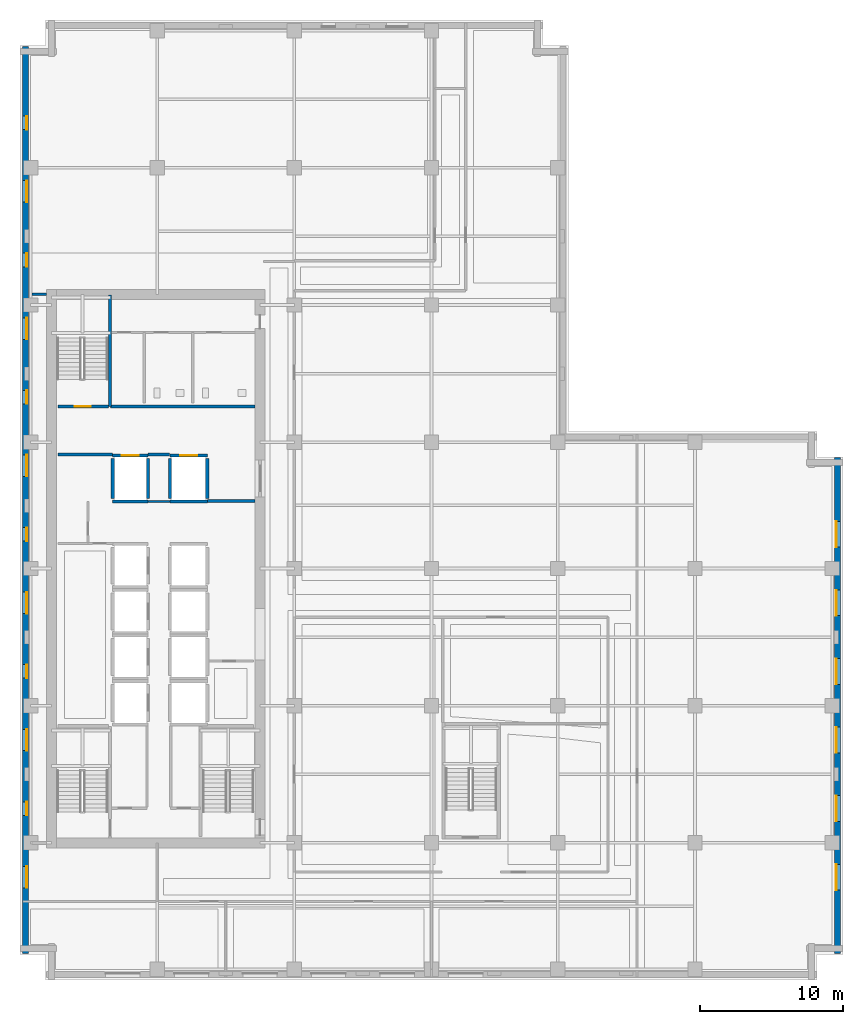
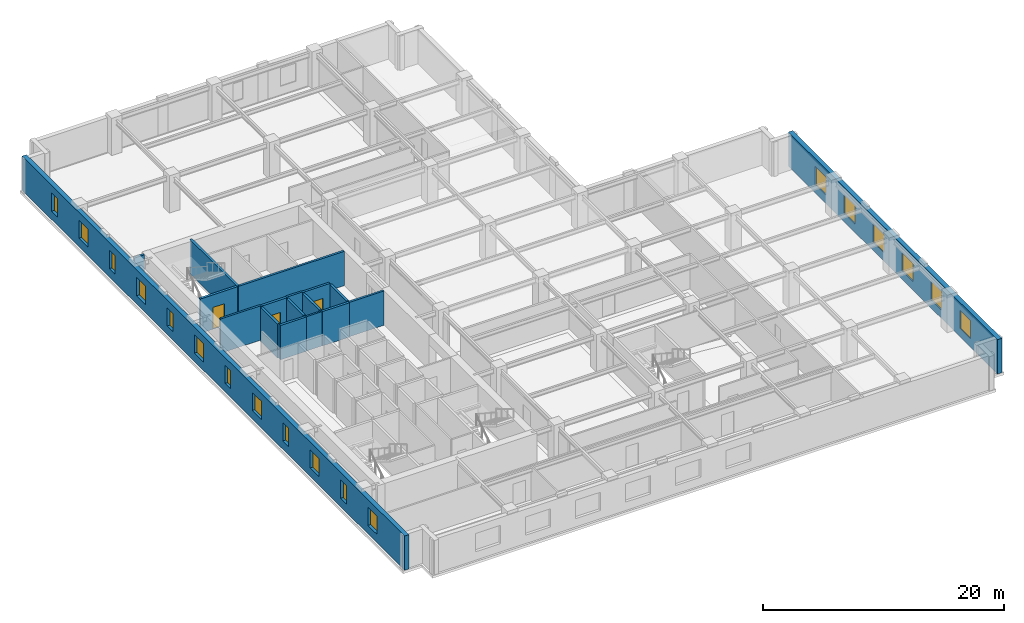
# One storey, part 5 of 12: 18 walls, 18 windows, 3 doors, 21 openings.
"""IFC4 building model written with IfcOpenShell, lengths in metres."""

from ifc_helpers import new_model, si_unit, direction, frame, frame_2d, origin, place, context, subcontext, project, spatial, rectangle, extrude, material, layer, layer_set, type_object, element, fill, save


model = new_model("IFC4")

# Units and contexts
model_context = context("Model", 3, precision=1e-05, world=origin(), true_north=direction((0.0, 1.0)))
body_context = subcontext(model_context, "Body", "Model", "MODEL_VIEW")
ifc_project = project(units=[si_unit("LENGTHUNIT", "METRE"), si_unit("AREAUNIT", "SQUARE_METRE"), si_unit("VOLUMEUNIT", "CUBIC_METRE"), si_unit("PLANEANGLEUNIT", "RADIAN"), si_unit("MASSUNIT", "GRAM", prefix="KILO")], contexts=[model_context])

# Site, building, storey
site_placement = place(None, origin())
site = spatial("IfcSite", under=ifc_project, at=site_placement, CompositionType="ELEMENT")
building_placement = place(site_placement, origin())
building = spatial("IfcBuilding", under=site, at=building_placement, Name="Norrvale University Quadrangle", CompositionType="ELEMENT")
storey_placement = place(building_placement, frame((0.0, 0.0, 147.0)))
storey = spatial("IfcBuildingStorey", under=building, at=storey_placement, Name="L37", CompositionType="ELEMENT", Elevation=147.0)

# Wall, openings, windows
ifc_material_1 = material(Name="Buff Norman Clay Brick Masonry", Category="masonry")
ifc_layer_1 = layer(ifc_material_1, 0.419921875, Name="Buff Norman Clay Brick Masonry")
ifc_layer_set_1 = layer_set([ifc_layer_1], Name="Buff Norman Clay Brick Masonry")
wall_type_1 = type_object("IfcWallType", Name="Wall Buff Brick 420", PredefinedType="SOLIDWALL", material=ifc_layer_set_1)
wall_1_placement = place(storey_placement, frame((57.2099609375, 1.840087890625, 0.0), z_axis=(0.0, 0.0, 1.0), x_axis=(0.0, 1.0, 0.0)))
wall_1 = element("IfcWall", 1, at=wall_1_placement, inside=storey, type_object=wall_type_1, Name="Exterior Brick Facade Wall L37-04.1", PredefinedType="SOLIDWALL", context=body_context, shape_type="SweptSolid", body=[
    extrude(rectangle(XDim=34.719970703125, YDim=0.419921875, at=frame_2d((17.35986328125, 0.0))), origin(), (0.0, 0.0, 1.0), 3.47998046875),
])
opening_1_placement = place(wall_1_placement, frame((4.4599609375, 0.0, 0.85009765625)))
opening_1 = element("IfcOpeningElement", 2, at=opening_1_placement, cuts=wall_1, Name="Opening W01", PredefinedType="OPENING", context=body_context, shape_type="SweptSolid", body=[
    extrude(rectangle(XDim=1.800048828125, YDim=1.85009765625, at=frame_2d((0.89990234375, 0.925048828125))), frame((0.0, 0.221923828125, 0.0), z_axis=(0.0, -1.0, 0.0), x_axis=(1.0, 0.0, 0.0)), (0.0, 0.0, 1.0), 0.44384765625),
])
opening_2_placement = place(wall_1_placement, frame((9.260009765625, 0.0, 0.85009765625)))
opening_2 = element("IfcOpeningElement", 3, at=opening_2_placement, cuts=wall_1, Name="Opening W01", PredefinedType="OPENING", context=body_context, shape_type="SweptSolid", body=[
    extrude(rectangle(XDim=1.800048828125, YDim=1.85009765625, at=frame_2d((0.89990234375, 0.925048828125))), frame((0.0, 0.221923828125, 0.0), z_axis=(0.0, -1.0, 0.0), x_axis=(1.0, 0.0, 0.0)), (0.0, 0.0, 1.0), 0.44384765625),
])
opening_3_placement = place(wall_1_placement, frame((14.06005859375, 0.0, 0.85009765625)))
opening_3 = element("IfcOpeningElement", 4, at=opening_3_placement, cuts=wall_1, Name="Opening W01", PredefinedType="OPENING", context=body_context, shape_type="SweptSolid", body=[
    extrude(rectangle(XDim=1.800048828125, YDim=1.85009765625, at=frame_2d((0.89990234375, 0.925048828125))), frame((0.0, 0.221923828125, 0.0), z_axis=(0.0, -1.0, 0.0), x_axis=(1.0, 0.0, 0.0)), (0.0, 0.0, 1.0), 0.44384765625),
])
opening_4_placement = place(wall_1_placement, frame((18.860107421875, 0.0, 0.85009765625)))
opening_4 = element("IfcOpeningElement", 5, at=opening_4_placement, cuts=wall_1, Name="Opening W01", PredefinedType="OPENING", context=body_context, shape_type="SweptSolid", body=[
    extrude(rectangle(XDim=1.800048828125, YDim=1.85009765625, at=frame_2d((0.89990234375, 0.925048828125))), frame((0.0, 0.221923828125, 0.0), z_axis=(0.0, -1.0, 0.0), x_axis=(1.0, 0.0, 0.0)), (0.0, 0.0, 1.0), 0.44384765625),
])
opening_5_placement = place(wall_1_placement, frame((23.659912109375, 0.0, 0.85009765625)))
opening_5 = element("IfcOpeningElement", 6, at=opening_5_placement, cuts=wall_1, Name="Opening W01", PredefinedType="OPENING", context=body_context, shape_type="SweptSolid", body=[
    extrude(rectangle(XDim=1.800048828125, YDim=1.85009765625, at=frame_2d((0.89990234375, 0.925048828125))), frame((0.0, 0.221923828125, 0.0), z_axis=(0.0, -1.0, 0.0), x_axis=(1.0, 0.0, 0.0)), (0.0, 0.0, 1.0), 0.44384765625),
])
opening_6_placement = place(wall_1_placement, frame((28.4599609375, 0.0, 0.85009765625)))
opening_6 = element("IfcOpeningElement", 7, at=opening_6_placement, cuts=wall_1, Name="Opening W01", PredefinedType="OPENING", context=body_context, shape_type="SweptSolid", body=[
    extrude(rectangle(XDim=1.800048828125, YDim=1.85009765625, at=frame_2d((0.89990234375, 0.925048828125))), frame((0.0, 0.221923828125, 0.0), z_axis=(0.0, -1.0, 0.0), x_axis=(1.0, 0.0, 0.0)), (0.0, 0.0, 1.0), 0.44384765625),
])
ifc_material_2 = material(Name="Triple Low-E Argon Glazing", Category="glass")
window_type_1 = type_object("IfcWindowType", Name="Window Academic 1800x2300", PartitioningType="DOUBLE_PANEL_VERTICAL", PredefinedType="WINDOW", material=ifc_material_2)
window_1_placement = place(opening_1_placement, origin())
window_1 = element("IfcWindow", 8, at=window_1_placement, inside=storey, type_object=window_type_1, Name="Window Academic 1800x2300 WIN-L37-E04-1-01", OverallHeight=1.85009765625, OverallWidth=1.800048828125, PartitioningType="DOUBLE_PANEL_VERTICAL", PredefinedType="WINDOW", context=body_context, shape_type="SweptSolid", body=[
    extrude(rectangle(XDim=1.800048828125, YDim=1.85009765625, at=frame_2d((0.89990234375, 0.925048828125))), frame((0.0, 0.110107421875, 0.0), z_axis=(0.0, -1.0, 0.0), x_axis=(1.0, 0.0, 0.0)), (0.0, 0.0, 1.0), 0.06005859375),
])
fill(opening_1, window_1)
window_2_placement = place(opening_2_placement, origin())
window_2 = element("IfcWindow", 9, at=window_2_placement, inside=storey, type_object=window_type_1, Name="Window Academic 1800x2300 WIN-L37-E04-1-02", OverallHeight=1.85009765625, OverallWidth=1.800048828125, PartitioningType="DOUBLE_PANEL_VERTICAL", PredefinedType="WINDOW", context=body_context, shape_type="SweptSolid", body=[
    extrude(rectangle(XDim=1.800048828125, YDim=1.85009765625, at=frame_2d((0.89990234375, 0.925048828125))), frame((0.0, 0.110107421875, 0.0), z_axis=(0.0, -1.0, 0.0), x_axis=(1.0, 0.0, 0.0)), (0.0, 0.0, 1.0), 0.06005859375),
])
fill(opening_2, window_2)
window_3_placement = place(opening_3_placement, origin())
window_3 = element("IfcWindow", 10, at=window_3_placement, inside=storey, type_object=window_type_1, Name="Window Academic 1800x2300 WIN-L37-E04-1-03", OverallHeight=1.85009765625, OverallWidth=1.800048828125, PartitioningType="DOUBLE_PANEL_VERTICAL", PredefinedType="WINDOW", context=body_context, shape_type="SweptSolid", body=[
    extrude(rectangle(XDim=1.800048828125, YDim=1.85009765625, at=frame_2d((0.89990234375, 0.925048828125))), frame((0.0, 0.110107421875, 0.0), z_axis=(0.0, -1.0, 0.0), x_axis=(1.0, 0.0, 0.0)), (0.0, 0.0, 1.0), 0.06005859375),
])
fill(opening_3, window_3)
window_4_placement = place(opening_4_placement, origin())
window_4 = element("IfcWindow", 11, at=window_4_placement, inside=storey, type_object=window_type_1, Name="Window Academic 1800x2300 WIN-L37-E04-1-04", OverallHeight=1.85009765625, OverallWidth=1.800048828125, PartitioningType="DOUBLE_PANEL_VERTICAL", PredefinedType="WINDOW", context=body_context, shape_type="SweptSolid", body=[
    extrude(rectangle(XDim=1.800048828125, YDim=1.85009765625, at=frame_2d((0.89990234375, 0.925048828125))), frame((0.0, 0.110107421875, 0.0), z_axis=(0.0, -1.0, 0.0), x_axis=(1.0, 0.0, 0.0)), (0.0, 0.0, 1.0), 0.06005859375),
])
fill(opening_4, window_4)
window_5_placement = place(opening_5_placement, origin())
window_5 = element("IfcWindow", 12, at=window_5_placement, inside=storey, type_object=window_type_1, Name="Window Academic 1800x2300 WIN-L37-E04-1-05", OverallHeight=1.85009765625, OverallWidth=1.800048828125, PartitioningType="DOUBLE_PANEL_VERTICAL", PredefinedType="WINDOW", context=body_context, shape_type="SweptSolid", body=[
    extrude(rectangle(XDim=1.800048828125, YDim=1.85009765625, at=frame_2d((0.89990234375, 0.925048828125))), frame((0.0, 0.110107421875, 0.0), z_axis=(0.0, -1.0, 0.0), x_axis=(1.0, 0.0, 0.0)), (0.0, 0.0, 1.0), 0.06005859375),
])
fill(opening_5, window_5)
window_6_placement = place(opening_6_placement, origin())
window_6 = element("IfcWindow", 13, at=window_6_placement, inside=storey, type_object=window_type_1, Name="Window Academic 1800x2300 WIN-L37-E04-1-06", OverallHeight=1.85009765625, OverallWidth=1.800048828125, PartitioningType="DOUBLE_PANEL_VERTICAL", PredefinedType="WINDOW", context=body_context, shape_type="SweptSolid", body=[
    extrude(rectangle(XDim=1.800048828125, YDim=1.85009765625, at=frame_2d((0.89990234375, 0.925048828125))), frame((0.0, 0.110107421875, 0.0), z_axis=(0.0, -1.0, 0.0), x_axis=(1.0, 0.0, 0.0)), (0.0, 0.0, 1.0), 0.06005859375),
])
fill(opening_6, window_6)

wall_2_placement = place(storey_placement, frame((0.389892578125, 65.360107421875, 0.0), z_axis=(0.0, 0.0, 1.0), x_axis=(0.0, -1.0, 0.0)))
wall_2 = element("IfcWall", 14, at=wall_2_placement, inside=storey, type_object=wall_type_1, Name="Exterior Brick Facade Wall L37-14.1", PredefinedType="SOLIDWALL", context=body_context, shape_type="SweptSolid", body=[
    extrude(rectangle(XDim=63.52001953125, YDim=0.419921875, at=frame_2d((31.760009765625, 0.0))), origin(), (0.0, 0.0, 1.0), 3.47998046875),
])
opening_7_placement = place(wall_2_placement, frame((4.885009765625, 0.0, 0.85009765625)))
opening_7 = element("IfcOpeningElement", 15, at=opening_7_placement, cuts=wall_2, Name="Opening W04", PredefinedType="OPENING", context=body_context, shape_type="SweptSolid", body=[
    extrude(rectangle(XDim=0.949951171875, YDim=1.85009765625, at=frame_2d((0.47509765625, 0.925048828125))), frame((0.0, 0.221923828125, 0.0), z_axis=(0.0, -1.0, 0.0), x_axis=(1.0, 0.0, 0.0)), (0.0, 0.0, 1.0), 0.44384765625),
])
opening_8_placement = place(wall_2_placement, frame((9.409912109375, 0.0, 0.85009765625)))
opening_8 = element("IfcOpeningElement", 16, at=opening_8_placement, cuts=wall_2, Name="Opening W03", PredefinedType="OPENING", context=body_context, shape_type="SweptSolid", body=[
    extrude(rectangle(XDim=1.5, YDim=1.85009765625, at=frame_2d((0.75, 0.925048828125))), frame((0.0, 0.221923828125, 0.0), z_axis=(0.0, -1.0, 0.0), x_axis=(1.0, 0.0, 0.0)), (0.0, 0.0, 1.0), 0.44384765625),
])
opening_9_placement = place(wall_2_placement, frame((14.485107421875, 0.0, 0.85009765625)))
opening_9 = element("IfcOpeningElement", 17, at=opening_9_placement, cuts=wall_2, Name="Opening W04", PredefinedType="OPENING", context=body_context, shape_type="SweptSolid", body=[
    extrude(rectangle(XDim=0.949951171875, YDim=1.85009765625, at=frame_2d((0.47509765625, 0.925048828125))), frame((0.0, 0.221923828125, 0.0), z_axis=(0.0, -1.0, 0.0), x_axis=(1.0, 0.0, 0.0)), (0.0, 0.0, 1.0), 0.44384765625),
])
opening_10_placement = place(wall_2_placement, frame((19.010009765625, 0.0, 0.85009765625)))
opening_10 = element("IfcOpeningElement", 18, at=opening_10_placement, cuts=wall_2, Name="Opening W03", PredefinedType="OPENING", context=body_context, shape_type="SweptSolid", body=[
    extrude(rectangle(XDim=1.5, YDim=1.85009765625, at=frame_2d((0.75, 0.925048828125))), frame((0.0, 0.221923828125, 0.0), z_axis=(0.0, -1.0, 0.0), x_axis=(1.0, 0.0, 0.0)), (0.0, 0.0, 1.0), 0.44384765625),
])
opening_11_placement = place(wall_2_placement, frame((24.0849609375, 0.0, 0.85009765625)))
opening_11 = element("IfcOpeningElement", 19, at=opening_11_placement, cuts=wall_2, Name="Opening W04", PredefinedType="OPENING", context=body_context, shape_type="SweptSolid", body=[
    extrude(rectangle(XDim=0.949951171875, YDim=1.85009765625, at=frame_2d((0.47509765625, 0.925048828125))), frame((0.0, 0.221923828125, 0.0), z_axis=(0.0, -1.0, 0.0), x_axis=(1.0, 0.0, 0.0)), (0.0, 0.0, 1.0), 0.44384765625),
])
opening_12_placement = place(wall_2_placement, frame((28.610107421875, 0.0, 0.85009765625)))
opening_12 = element("IfcOpeningElement", 20, at=opening_12_placement, cuts=wall_2, Name="Opening W03", PredefinedType="OPENING", context=body_context, shape_type="SweptSolid", body=[
    extrude(rectangle(XDim=1.5, YDim=1.85009765625, at=frame_2d((0.75, 0.925048828125))), frame((0.0, 0.221923828125, 0.0), z_axis=(0.0, -1.0, 0.0), x_axis=(1.0, 0.0, 0.0)), (0.0, 0.0, 1.0), 0.44384765625),
])
opening_13_placement = place(wall_2_placement, frame((33.68505859375, 0.0, 0.85009765625)))
opening_13 = element("IfcOpeningElement", 21, at=opening_13_placement, cuts=wall_2, Name="Opening W04", PredefinedType="OPENING", context=body_context, shape_type="SweptSolid", body=[
    extrude(rectangle(XDim=0.949951171875, YDim=1.85009765625, at=frame_2d((0.47509765625, 0.925048828125))), frame((0.0, 0.221923828125, 0.0), z_axis=(0.0, -1.0, 0.0), x_axis=(1.0, 0.0, 0.0)), (0.0, 0.0, 1.0), 0.44384765625),
])
opening_14_placement = place(wall_2_placement, frame((38.2099609375, 0.0, 0.85009765625)))
opening_14 = element("IfcOpeningElement", 22, at=opening_14_placement, cuts=wall_2, Name="Opening W03", PredefinedType="OPENING", context=body_context, shape_type="SweptSolid", body=[
    extrude(rectangle(XDim=1.5, YDim=1.85009765625, at=frame_2d((0.75, 0.925048828125))), frame((0.0, 0.221923828125, 0.0), z_axis=(0.0, -1.0, 0.0), x_axis=(1.0, 0.0, 0.0)), (0.0, 0.0, 1.0), 0.44384765625),
])
opening_15_placement = place(wall_2_placement, frame((43.284912109375, 0.0, 0.85009765625)))
opening_15 = element("IfcOpeningElement", 23, at=opening_15_placement, cuts=wall_2, Name="Opening W04", PredefinedType="OPENING", context=body_context, shape_type="SweptSolid", body=[
    extrude(rectangle(XDim=0.949951171875, YDim=1.85009765625, at=frame_2d((0.47509765625, 0.925048828125))), frame((0.0, 0.221923828125, 0.0), z_axis=(0.0, -1.0, 0.0), x_axis=(1.0, 0.0, 0.0)), (0.0, 0.0, 1.0), 0.44384765625),
])
opening_16_placement = place(wall_2_placement, frame((47.81005859375, 0.0, 0.85009765625)))
opening_16 = element("IfcOpeningElement", 24, at=opening_16_placement, cuts=wall_2, Name="Opening W03", PredefinedType="OPENING", context=body_context, shape_type="SweptSolid", body=[
    extrude(rectangle(XDim=1.5, YDim=1.85009765625, at=frame_2d((0.75, 0.925048828125))), frame((0.0, 0.221923828125, 0.0), z_axis=(0.0, -1.0, 0.0), x_axis=(1.0, 0.0, 0.0)), (0.0, 0.0, 1.0), 0.44384765625),
])
opening_17_placement = place(wall_2_placement, frame((52.885009765625, 0.0, 0.85009765625)))
opening_17 = element("IfcOpeningElement", 25, at=opening_17_placement, cuts=wall_2, Name="Opening W04", PredefinedType="OPENING", context=body_context, shape_type="SweptSolid", body=[
    extrude(rectangle(XDim=0.949951171875, YDim=1.85009765625, at=frame_2d((0.47509765625, 0.925048828125))), frame((0.0, 0.221923828125, 0.0), z_axis=(0.0, -1.0, 0.0), x_axis=(1.0, 0.0, 0.0)), (0.0, 0.0, 1.0), 0.44384765625),
])
opening_18_placement = place(wall_2_placement, frame((57.409912109375, 0.0, 0.85009765625)))
opening_18 = element("IfcOpeningElement", 26, at=opening_18_placement, cuts=wall_2, Name="Opening W03", PredefinedType="OPENING", context=body_context, shape_type="SweptSolid", body=[
    extrude(rectangle(XDim=1.5, YDim=1.85009765625, at=frame_2d((0.75, 0.925048828125))), frame((0.0, 0.221923828125, 0.0), z_axis=(0.0, -1.0, 0.0), x_axis=(1.0, 0.0, 0.0)), (0.0, 0.0, 1.0), 0.44384765625),
])
window_type_2 = type_object("IfcWindowType", Name="Window Narrow Pier 950x2300", PartitioningType="SINGLE_PANEL", PredefinedType="WINDOW", material=ifc_material_2)
window_7_placement = place(opening_7_placement, origin())
window_7 = element("IfcWindow", 27, at=window_7_placement, inside=storey, type_object=window_type_2, Name="Window Narrow Pier 950x2300 WIN-L37-E14-1-01", OverallHeight=1.85009765625, OverallWidth=0.949951171875, PartitioningType="SINGLE_PANEL", PredefinedType="WINDOW", context=body_context, shape_type="SweptSolid", body=[
    extrude(rectangle(XDim=0.949951171875, YDim=1.85009765625, at=frame_2d((0.47509765625, 0.925048828125))), frame((0.0, 0.110107421875, 0.0), z_axis=(0.0, -1.0, 0.0), x_axis=(1.0, 0.0, 0.0)), (0.0, 0.0, 1.0), 0.06005859375),
])
fill(opening_7, window_7)
window_8_placement = place(opening_9_placement, origin())
window_8 = element("IfcWindow", 28, at=window_8_placement, inside=storey, type_object=window_type_2, Name="Window Narrow Pier 950x2300 WIN-L37-E14-1-03", OverallHeight=1.85009765625, OverallWidth=0.949951171875, PartitioningType="SINGLE_PANEL", PredefinedType="WINDOW", context=body_context, shape_type="SweptSolid", body=[
    extrude(rectangle(XDim=0.949951171875, YDim=1.85009765625, at=frame_2d((0.47509765625, 0.925048828125))), frame((0.0, 0.110107421875, 0.0), z_axis=(0.0, -1.0, 0.0), x_axis=(1.0, 0.0, 0.0)), (0.0, 0.0, 1.0), 0.06005859375),
])
fill(opening_9, window_8)
window_9_placement = place(opening_11_placement, origin())
window_9 = element("IfcWindow", 29, at=window_9_placement, inside=storey, type_object=window_type_2, Name="Window Narrow Pier 950x2300 WIN-L37-E14-1-05", OverallHeight=1.85009765625, OverallWidth=0.949951171875, PartitioningType="SINGLE_PANEL", PredefinedType="WINDOW", context=body_context, shape_type="SweptSolid", body=[
    extrude(rectangle(XDim=0.949951171875, YDim=1.85009765625, at=frame_2d((0.47509765625, 0.925048828125))), frame((0.0, 0.110107421875, 0.0), z_axis=(0.0, -1.0, 0.0), x_axis=(1.0, 0.0, 0.0)), (0.0, 0.0, 1.0), 0.06005859375),
])
fill(opening_11, window_9)
window_10_placement = place(opening_13_placement, origin())
window_10 = element("IfcWindow", 30, at=window_10_placement, inside=storey, type_object=window_type_2, Name="Window Narrow Pier 950x2300 WIN-L37-E14-1-07", OverallHeight=1.85009765625, OverallWidth=0.949951171875, PartitioningType="SINGLE_PANEL", PredefinedType="WINDOW", context=body_context, shape_type="SweptSolid", body=[
    extrude(rectangle(XDim=0.949951171875, YDim=1.85009765625, at=frame_2d((0.47509765625, 0.925048828125))), frame((0.0, 0.110107421875, 0.0), z_axis=(0.0, -1.0, 0.0), x_axis=(1.0, 0.0, 0.0)), (0.0, 0.0, 1.0), 0.06005859375),
])
fill(opening_13, window_10)
window_11_placement = place(opening_15_placement, origin())
window_11 = element("IfcWindow", 31, at=window_11_placement, inside=storey, type_object=window_type_2, Name="Window Narrow Pier 950x2300 WIN-L37-E14-1-09", OverallHeight=1.85009765625, OverallWidth=0.949951171875, PartitioningType="SINGLE_PANEL", PredefinedType="WINDOW", context=body_context, shape_type="SweptSolid", body=[
    extrude(rectangle(XDim=0.949951171875, YDim=1.85009765625, at=frame_2d((0.47509765625, 0.925048828125))), frame((0.0, 0.110107421875, 0.0), z_axis=(0.0, -1.0, 0.0), x_axis=(1.0, 0.0, 0.0)), (0.0, 0.0, 1.0), 0.06005859375),
])
fill(opening_15, window_11)
window_12_placement = place(opening_17_placement, origin())
window_12 = element("IfcWindow", 32, at=window_12_placement, inside=storey, type_object=window_type_2, Name="Window Narrow Pier 950x2300 WIN-L37-E14-1-11", OverallHeight=1.85009765625, OverallWidth=0.949951171875, PartitioningType="SINGLE_PANEL", PredefinedType="WINDOW", context=body_context, shape_type="SweptSolid", body=[
    extrude(rectangle(XDim=0.949951171875, YDim=1.85009765625, at=frame_2d((0.47509765625, 0.925048828125))), frame((0.0, 0.110107421875, 0.0), z_axis=(0.0, -1.0, 0.0), x_axis=(1.0, 0.0, 0.0)), (0.0, 0.0, 1.0), 0.06005859375),
])
fill(opening_17, window_12)
window_type_3 = type_object("IfcWindowType", Name="Window Studio 1500x2300", PartitioningType="DOUBLE_PANEL_VERTICAL", PredefinedType="WINDOW", material=ifc_material_2)
window_13_placement = place(opening_8_placement, origin())
window_13 = element("IfcWindow", 33, at=window_13_placement, inside=storey, type_object=window_type_3, Name="Window Studio 1500x2300 WIN-L37-E14-1-02", OverallHeight=1.85009765625, OverallWidth=1.5, PartitioningType="DOUBLE_PANEL_VERTICAL", PredefinedType="WINDOW", context=body_context, shape_type="SweptSolid", body=[
    extrude(rectangle(XDim=1.5, YDim=1.85009765625, at=frame_2d((0.75, 0.925048828125))), frame((0.0, 0.110107421875, 0.0), z_axis=(0.0, -1.0, 0.0), x_axis=(1.0, 0.0, 0.0)), (0.0, 0.0, 1.0), 0.06005859375),
])
fill(opening_8, window_13)
window_14_placement = place(opening_10_placement, origin())
window_14 = element("IfcWindow", 34, at=window_14_placement, inside=storey, type_object=window_type_3, Name="Window Studio 1500x2300 WIN-L37-E14-1-04", OverallHeight=1.85009765625, OverallWidth=1.5, PartitioningType="DOUBLE_PANEL_VERTICAL", PredefinedType="WINDOW", context=body_context, shape_type="SweptSolid", body=[
    extrude(rectangle(XDim=1.5, YDim=1.85009765625, at=frame_2d((0.75, 0.925048828125))), frame((0.0, 0.110107421875, 0.0), z_axis=(0.0, -1.0, 0.0), x_axis=(1.0, 0.0, 0.0)), (0.0, 0.0, 1.0), 0.06005859375),
])
fill(opening_10, window_14)
window_15_placement = place(opening_12_placement, origin())
window_15 = element("IfcWindow", 35, at=window_15_placement, inside=storey, type_object=window_type_3, Name="Window Studio 1500x2300 WIN-L37-E14-1-06", OverallHeight=1.85009765625, OverallWidth=1.5, PartitioningType="DOUBLE_PANEL_VERTICAL", PredefinedType="WINDOW", context=body_context, shape_type="SweptSolid", body=[
    extrude(rectangle(XDim=1.5, YDim=1.85009765625, at=frame_2d((0.75, 0.925048828125))), frame((0.0, 0.110107421875, 0.0), z_axis=(0.0, -1.0, 0.0), x_axis=(1.0, 0.0, 0.0)), (0.0, 0.0, 1.0), 0.06005859375),
])
fill(opening_12, window_15)
window_16_placement = place(opening_14_placement, origin())
window_16 = element("IfcWindow", 36, at=window_16_placement, inside=storey, type_object=window_type_3, Name="Window Studio 1500x2300 WIN-L37-E14-1-08", OverallHeight=1.85009765625, OverallWidth=1.5, PartitioningType="DOUBLE_PANEL_VERTICAL", PredefinedType="WINDOW", context=body_context, shape_type="SweptSolid", body=[
    extrude(rectangle(XDim=1.5, YDim=1.85009765625, at=frame_2d((0.75, 0.925048828125))), frame((0.0, 0.110107421875, 0.0), z_axis=(0.0, -1.0, 0.0), x_axis=(1.0, 0.0, 0.0)), (0.0, 0.0, 1.0), 0.06005859375),
])
fill(opening_14, window_16)
window_17_placement = place(opening_16_placement, origin())
window_17 = element("IfcWindow", 37, at=window_17_placement, inside=storey, type_object=window_type_3, Name="Window Studio 1500x2300 WIN-L37-E14-1-10", OverallHeight=1.85009765625, OverallWidth=1.5, PartitioningType="DOUBLE_PANEL_VERTICAL", PredefinedType="WINDOW", context=body_context, shape_type="SweptSolid", body=[
    extrude(rectangle(XDim=1.5, YDim=1.85009765625, at=frame_2d((0.75, 0.925048828125))), frame((0.0, 0.110107421875, 0.0), z_axis=(0.0, -1.0, 0.0), x_axis=(1.0, 0.0, 0.0)), (0.0, 0.0, 1.0), 0.06005859375),
])
fill(opening_16, window_17)
window_18_placement = place(opening_18_placement, origin())
window_18 = element("IfcWindow", 38, at=window_18_placement, inside=storey, type_object=window_type_3, Name="Window Studio 1500x2300 WIN-L37-E14-1-12", OverallHeight=1.85009765625, OverallWidth=1.5, PartitioningType="DOUBLE_PANEL_VERTICAL", PredefinedType="WINDOW", context=body_context, shape_type="SweptSolid", body=[
    extrude(rectangle(XDim=1.5, YDim=1.85009765625, at=frame_2d((0.75, 0.925048828125))), frame((0.0, 0.110107421875, 0.0), z_axis=(0.0, -1.0, 0.0), x_axis=(1.0, 0.0, 0.0)), (0.0, 0.0, 1.0), 0.06005859375),
])
fill(opening_18, window_18)

# Walls
ifc_material_3 = material(Name="Fire-Rated Gypsum Stud Partition")
ifc_layer_2 = layer(ifc_material_3, 0.14990234375, Name="Fire-Rated Gypsum Stud Partition")
ifc_layer_set_2 = layer_set([ifc_layer_2], Name="Fire-Rated Gypsum Stud Partition")
wall_type_2 = type_object("IfcWallType", Name="Wall Gypsum Corridor 150", PredefinedType="PARTITIONING", material=ifc_layer_set_2)
wall_3_placement = place(storey_placement, frame((8.965087890625, 33.489990234375, 0.0), z_axis=(0.0, 0.0, 1.0), x_axis=(1.0, 0.0, 0.0)))
element("IfcWall", 39, at=wall_3_placement, inside=storey, type_object=wall_type_2, Name="Interior Partition WL-L37-LL3", PredefinedType="PARTITIONING", context=body_context, shape_type="SweptSolid", body=[
    extrude(rectangle(XDim=1.52001953125, YDim=0.14990234375, at=frame_2d((0.760009765625, 0.0))), origin(), (0.0, 0.0, 1.0), 3.47998046875),
])
ifc_material_4 = material(Name="Concrete Blockwork 20 MPa Rated Wall", Category="masonry")
ifc_layer_3 = layer(ifc_material_4, 0.199951171875, Name="Concrete Blockwork 20 MPa Rated Wall")
ifc_layer_set_3 = layer_set([ifc_layer_3], Name="Concrete Blockwork 20 MPa Rated Wall")
wall_type_3 = type_object("IfcWallType", Name="Wall Lobby 200", PredefinedType="SOLIDWALL", material=ifc_layer_set_3)
wall_4_placement = place(storey_placement, frame((2.64990234375, 36.780029296875, 0.0), z_axis=(0.0, 0.0, 1.0), x_axis=(1.0, 0.0, 0.0)))
element("IfcWall", 40, at=wall_4_placement, inside=storey, type_object=wall_type_3, Name="Interior Partition WL-L37-FF1", PredefinedType="SOLIDWALL", context=body_context, shape_type="SweptSolid", body=[
    extrude(rectangle(XDim=3.830078125, YDim=0.199951171875, at=frame_2d((1.9150390625, 0.0))), origin(), (0.0, 0.0, 1.0), 3.47998046875),
])
wall_5_placement = place(storey_placement, frame((8.969970703125, 36.780029296875, 0.0), z_axis=(0.0, 0.0, 1.0), x_axis=(1.0, 0.0, 0.0)))
element("IfcWall", 41, at=wall_5_placement, inside=storey, type_object=wall_type_3, Name="Interior Partition WL-L37-FF2", PredefinedType="SOLIDWALL", context=body_context, shape_type="SweptSolid", body=[
    extrude(rectangle(XDim=1.510009765625, YDim=0.199951171875, at=frame_2d((0.7548828125, 0.0))), origin(), (0.0, 0.0, 1.0), 3.47998046875),
])
wall_6_placement = place(storey_placement, frame((13.1201171875, 33.52001953125, 0.0), z_axis=(0.0, 0.0, 1.0), x_axis=(1.0, 0.0, 0.0)))
element("IfcWall", 42, at=wall_6_placement, inside=storey, type_object=wall_type_3, Name="Interior Partition WL-L37-FF3", PredefinedType="SOLIDWALL", context=body_context, shape_type="SweptSolid", body=[
    extrude(rectangle(XDim=3.329833984375, YDim=0.199951171875, at=frame_2d((1.6650390625, 0.0))), origin(), (0.0, 0.0, 1.0), 3.47998046875),
])
wall_7_placement = place(storey_placement, frame((6.320068359375, 40.139892578125, 0.0), z_axis=(0.0, 0.0, 1.0), x_axis=(1.0, 0.0, 0.0)))
element("IfcWall", 43, at=wall_7_placement, inside=storey, type_object=wall_type_3, Name="Interior Partition WL-L37-FF4", PredefinedType="SOLIDWALL", context=body_context, shape_type="SweptSolid", body=[
    extrude(rectangle(XDim=10.1298828125, YDim=0.199951171875, at=frame_2d((5.06494140625, 0.0))), origin(), (0.0, 0.0, 1.0), 3.47998046875),
])
wall_8_placement = place(storey_placement, frame((0.85009765625, 48.0, 0.0), z_axis=(0.0, 0.0, 1.0), x_axis=(1.0, 0.0, 0.0)))
element("IfcWall", 44, at=wall_8_placement, inside=storey, type_object=wall_type_3, Name="Interior Partition WL-L37-CWRET-N", PredefinedType="SOLIDWALL", context=body_context, shape_type="SweptSolid", body=[
    extrude(rectangle(XDim=0.994873046875, YDim=0.199951171875, at=frame_2d((0.49755859375, 0.0))), origin(), (0.0, 0.0, 1.0), 3.47998046875),
])

# Wall, opening, door
ifc_material_5 = material(Name="Concrete Blockwork 20 MPa Fire Shaft", Category="masonry")
ifc_layer_4 = layer(ifc_material_5, 0.219970703125, Name="Concrete Blockwork 20 MPa Fire Shaft")
ifc_layer_set_4 = layer_set([ifc_layer_4], Name="Concrete Blockwork 20 MPa Fire Shaft")
wall_type_4 = type_object("IfcWallType", Name="Wall Shaft 220", PredefinedType="SOLIDWALL", material=ifc_layer_set_4)
wall_9_placement = place(storey_placement, frame((2.64990234375, 40.139892578125, 0.0), z_axis=(0.0, 0.0, 1.0), x_axis=(1.0, 0.0, 0.0)))
wall_9 = element("IfcWall", 45, at=wall_9_placement, inside=storey, type_object=wall_type_4, Name="Stair ST-02 South Shaft Wall L37", PredefinedType="SOLIDWALL", context=body_context, shape_type="SweptSolid", body=[
    extrude(rectangle(XDim=3.550048828125, YDim=0.219970703125, at=frame_2d((1.77490234375, 0.0))), origin(), (0.0, 0.0, 1.0), 3.47998046875),
])
opening_19_placement = place(wall_9_placement, frame((1.199951171875, 0.0, 0.0)))
opening_19 = element("IfcOpeningElement", 46, at=opening_19_placement, cuts=wall_9, Name="Opening D02", PredefinedType="OPENING", context=body_context, shape_type="SweptSolid", body=[
    extrude(rectangle(XDim=1.10009765625, YDim=2.199951171875, at=frame_2d((0.550048828125, 1.10009765625))), frame((0.0, 0.1220703125, 0.0), z_axis=(0.0, -1.0, 0.0), x_axis=(1.0, 0.0, 0.0)), (0.0, 0.0, 1.0), 0.243896484375),
])
ifc_material_6 = material(Name="Hollow Steel 350W Fire Door", Category="steel")
door_type_1 = type_object("IfcDoorType", Name="Door Stair Exit 1100x2200", OperationType="NOTDEFINED", PredefinedType="DOOR", material=ifc_material_6)
door_1_placement = place(opening_19_placement, origin())
door_1 = element("IfcDoor", 47, at=door_1_placement, inside=storey, type_object=door_type_1, Name="Door Stair Exit 1100x2200 DR-L37-ST02", OperationType="SINGLE_SWING_LEFT", OverallHeight=2.199951171875, OverallWidth=1.10009765625, PredefinedType="DOOR", context=body_context, shape_type="SweptSolid", body=[
    extrude(rectangle(XDim=1.10009765625, YDim=2.199951171875, at=frame_2d((0.550048828125, 1.10009765625))), frame((0.0, 0.02490234375, 0.0), z_axis=(0.0, -1.0, 0.0), x_axis=(1.0, 0.0, 0.0)), (0.0, 0.0, 1.0), 0.050048828125),
])
fill(opening_19, door_1)

# Walls
wall_10_placement = place(storey_placement, frame((6.31005859375, 40.139892578125, 0.0), z_axis=(0.0, 0.0, 1.0), x_axis=(0.0, 1.0, 0.0)))
element("IfcWall", 48, at=wall_10_placement, inside=storey, type_object=wall_type_4, Name="Stair ST-02 East Shaft Wall L37", PredefinedType="SOLIDWALL", context=body_context, shape_type="SweptSolid", body=[
    extrude(rectangle(XDim=7.81005859375, YDim=0.219970703125, at=frame_2d((3.905029296875, 0.0))), origin(), (0.0, 0.0, 1.0), 3.47998046875),
])
for number, where, z_axis, x_axis, name in (
    (49, (6.489990234375, 33.7099609375, 0.0), (0.0, 0.0, 1.0), (0.0, 1.0, 0.0), "Hoistway FFL-01 West Wall L37"),
    (50, (8.9599609375, 33.7099609375, 0.0), (0.0, 0.0, 1.0), (0.0, 1.0, 0.0), "Hoistway FFL-01 East Wall L37"),
):
    element("IfcWall", number, at=place(storey_placement, frame(where, z_axis=z_axis, x_axis=x_axis)), inside=storey, type_object=wall_type_4, Name=name, PredefinedType="SOLIDWALL", context=body_context, shape_type="SweptSolid", body=[
        extrude(rectangle(XDim=2.780029296875, YDim=0.219970703125, at=frame_2d((1.39013671875, 0.0))), origin(), (0.0, 0.0, 1.0), 3.47998046875),
    ])
wall_11_placement = place(storey_placement, frame((6.489990234375, 33.489990234375, 0.0), z_axis=(0.0, 0.0, 1.0), x_axis=(1.0, 0.0, 0.0)))
element("IfcWall", 51, at=wall_11_placement, inside=storey, type_object=wall_type_4, Name="Hoistway FFL-01 South Wall L37", PredefinedType="SOLIDWALL", context=body_context, shape_type="SweptSolid", body=[
    extrude(rectangle(XDim=2.469970703125, YDim=0.219970703125, at=frame_2d((1.23486328125, 0.0))), origin(), (0.0, 0.0, 1.0), 3.47998046875),
])

# Wall, opening, door
wall_12_placement = place(storey_placement, frame((6.489990234375, 36.7099609375, 0.0), z_axis=(0.0, 0.0, 1.0), x_axis=(1.0, 0.0, 0.0)))
wall_12 = element("IfcWall", 52, at=wall_12_placement, inside=storey, type_object=wall_type_4, Name="Hoistway FFL-01 North Wall L37", PredefinedType="SOLIDWALL", context=body_context, shape_type="SweptSolid", body=[
    extrude(rectangle(XDim=2.469970703125, YDim=0.219970703125, at=frame_2d((1.23486328125, 0.0))), origin(), (0.0, 0.0, 1.0), 3.47998046875),
])
opening_20_placement = place(wall_12_placement, frame((0.635009765625, 0.0, 0.0)))
opening_20 = element("IfcOpeningElement", 53, at=opening_20_placement, cuts=wall_12, Name="Opening LD2", PredefinedType="OPENING", context=body_context, shape_type="SweptSolid", body=[
    extrude(rectangle(XDim=1.199951171875, YDim=2.199951171875, at=frame_2d((0.60009765625, 1.10009765625))), frame((0.0, 0.1220703125, 0.0), z_axis=(0.0, -1.0, 0.0), x_axis=(1.0, 0.0, 0.0)), (0.0, 0.0, 1.0), 0.243896484375),
])
ifc_material_7 = material(Name="Stainless Steel 316L Firefighter Lift Door", Category="steel")
door_type_2 = type_object("IfcDoorType", Name="Door Fire Lift 1200x2200", OperationType="DOUBLE_DOOR_SLIDING", PredefinedType="DOOR", material=ifc_material_7)
door_2_placement = place(opening_20_placement, origin())
door_2 = element("IfcDoor", 54, at=door_2_placement, inside=storey, type_object=door_type_2, Name="Elevator Landing Door DR-L37-FFL-01", OperationType="DOUBLE_DOOR_SLIDING", OverallHeight=2.199951171875, OverallWidth=1.199951171875, PredefinedType="DOOR", context=body_context, shape_type="SweptSolid", body=[
    extrude(rectangle(XDim=1.199951171875, YDim=2.199951171875, at=frame_2d((0.60009765625, 1.10009765625))), frame((0.0, 0.02490234375, 0.0), z_axis=(0.0, -1.0, 0.0), x_axis=(1.0, 0.0, 0.0)), (0.0, 0.0, 1.0), 0.050048828125),
])
fill(opening_20, door_2)

# Walls
for number, where, z_axis, x_axis, name in (
    (55, (10.489990234375, 33.7099609375, 0.0), (0.0, 0.0, 1.0), (0.0, 1.0, 0.0), "Hoistway FFL-02 West Wall L37"),
    (56, (13.110107421875, 33.7099609375, 0.0), (0.0, 0.0, 1.0), (0.0, 1.0, 0.0), "Hoistway FFL-02 East Wall L37"),
):
    element("IfcWall", number, at=place(storey_placement, frame(where, z_axis=z_axis, x_axis=x_axis)), inside=storey, type_object=wall_type_4, Name=name, PredefinedType="SOLIDWALL", context=body_context, shape_type="SweptSolid", body=[
        extrude(rectangle(XDim=2.780029296875, YDim=0.219970703125, at=frame_2d((1.39013671875, 0.0))), origin(), (0.0, 0.0, 1.0), 3.47998046875),
    ])
wall_13_placement = place(storey_placement, frame((10.489990234375, 33.489990234375, 0.0), z_axis=(0.0, 0.0, 1.0), x_axis=(1.0, 0.0, 0.0)))
element("IfcWall", 57, at=wall_13_placement, inside=storey, type_object=wall_type_4, Name="Hoistway FFL-02 South Wall L37", PredefinedType="SOLIDWALL", context=body_context, shape_type="SweptSolid", body=[
    extrude(rectangle(XDim=2.6201171875, YDim=0.219970703125, at=frame_2d((1.31005859375, 0.0))), origin(), (0.0, 0.0, 1.0), 3.47998046875),
])

# Wall, opening, door
wall_14_placement = place(storey_placement, frame((10.489990234375, 36.7099609375, 0.0), z_axis=(0.0, 0.0, 1.0), x_axis=(1.0, 0.0, 0.0)))
wall_14 = element("IfcWall", 58, at=wall_14_placement, inside=storey, type_object=wall_type_4, Name="Hoistway FFL-02 North Wall L37", PredefinedType="SOLIDWALL", context=body_context, shape_type="SweptSolid", body=[
    extrude(rectangle(XDim=2.6201171875, YDim=0.219970703125, at=frame_2d((1.31005859375, 0.0))), origin(), (0.0, 0.0, 1.0), 3.47998046875),
])
opening_21_placement = place(wall_14_placement, frame((0.7099609375, 0.0, 0.0)))
opening_21 = element("IfcOpeningElement", 59, at=opening_21_placement, cuts=wall_14, Name="Opening LD2", PredefinedType="OPENING", context=body_context, shape_type="SweptSolid", body=[
    extrude(rectangle(XDim=1.199951171875, YDim=2.199951171875, at=frame_2d((0.60009765625, 1.10009765625))), frame((0.0, 0.1220703125, 0.0), z_axis=(0.0, -1.0, 0.0), x_axis=(1.0, 0.0, 0.0)), (0.0, 0.0, 1.0), 0.243896484375),
])
door_3_placement = place(opening_21_placement, origin())
door_3 = element("IfcDoor", 60, at=door_3_placement, inside=storey, type_object=door_type_2, Name="Elevator Landing Door DR-L37-FFL-02", OperationType="DOUBLE_DOOR_SLIDING", OverallHeight=2.199951171875, OverallWidth=1.199951171875, PredefinedType="DOOR", context=body_context, shape_type="SweptSolid", body=[
    extrude(rectangle(XDim=1.199951171875, YDim=2.199951171875, at=frame_2d((0.60009765625, 1.10009765625))), frame((0.0, 0.02490234375, 0.0), z_axis=(0.0, -1.0, 0.0), x_axis=(1.0, 0.0, 0.0)), (0.0, 0.0, 1.0), 0.050048828125),
])
fill(opening_21, door_3)

save(model, "model.ifc")
